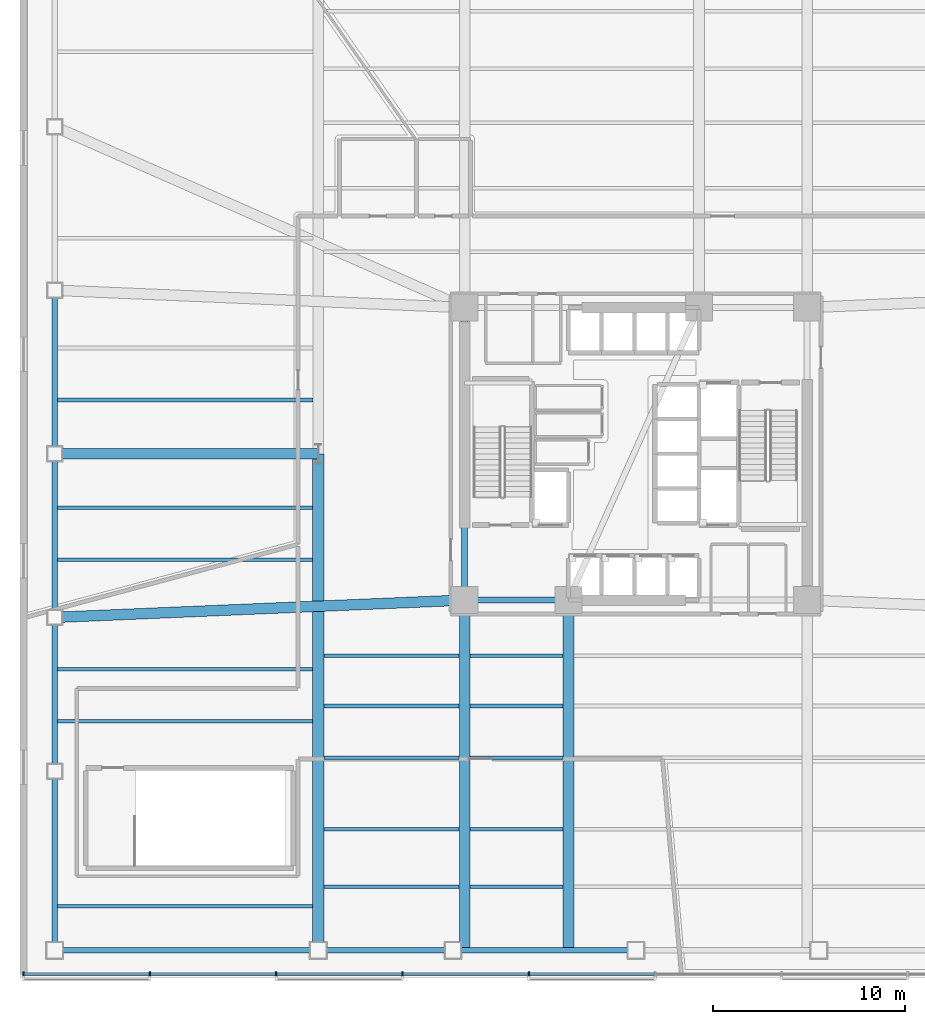
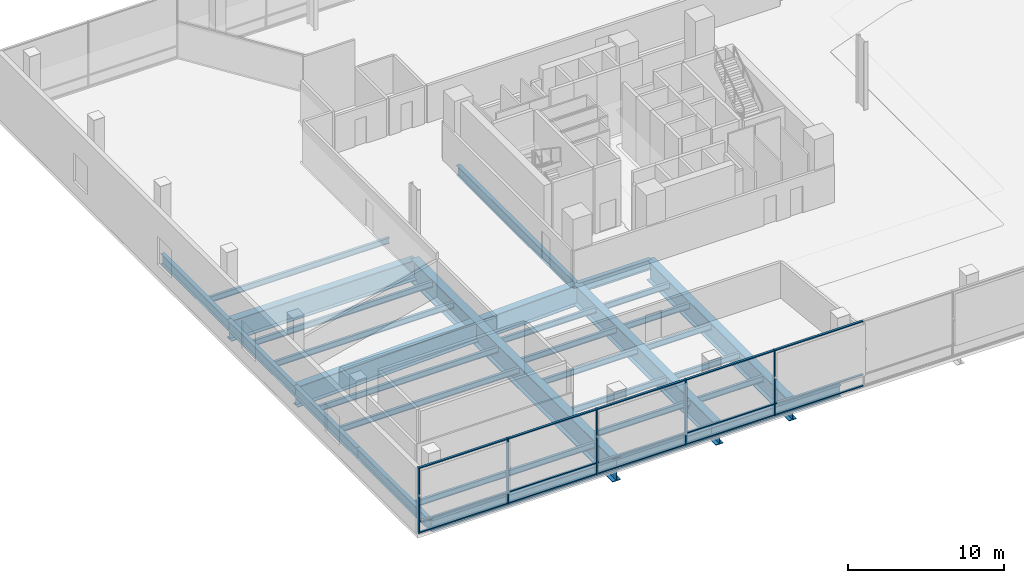
# One storey, part 2 of 19: 30 beams, 20 members, 1 element without a shape of its own.
"""IFC4 building model written with IfcOpenShell, lengths in metres."""

from ifc_helpers import new_model, si_unit, direction, frame, origin, origin_2d, place, context, subcontext, project, spatial, rectangle, i_section, extrude, material, layer, layer_set, material_profile, profile_set, type_object, element, aggregate, save


model = new_model("IFC4")

# Units and contexts
model_context = context("Model", 3, precision=1e-05, world=origin(), true_north=direction((0.0, 1.0)))
body_context = subcontext(model_context, "Body", "Model", "MODEL_VIEW")
ifc_project = project(units=[si_unit("LENGTHUNIT", "METRE"), si_unit("AREAUNIT", "SQUARE_METRE"), si_unit("VOLUMEUNIT", "CUBIC_METRE"), si_unit("PLANEANGLEUNIT", "RADIAN"), si_unit("MASSUNIT", "GRAM", prefix="KILO")], contexts=[model_context])

# Site, building, storey
site_placement = place(None, origin())
site = spatial("IfcSite", under=ifc_project, at=site_placement, CompositionType="ELEMENT")
building_placement = place(site_placement, origin())
building = spatial("IfcBuilding", under=site, at=building_placement, Name="Tharavind Bronze Gate", CompositionType="ELEMENT")
storey_placement = place(building_placement, frame((0.0, 0.0, 26.5)))
storey = spatial("IfcBuildingStorey", under=building, at=storey_placement, Name="L05", CompositionType="ELEMENT", Elevation=26.5)

# Curtain wall, members
ifc_material_1 = material(Name="Anodised Bronze Aluminium", Category="aluminium")
ifc_layer = layer(ifc_material_1, 0.219970703125)
ifc_layer_set = layer_set([ifc_layer], Name="Anodised Bronze Aluminium")
curtain_wall_type = type_object("IfcCurtainWallType", Name="UNITISED CURTAIN WALL PODIUM", PredefinedType="USERDEFINED", material=ifc_layer_set)
curtain_wall_placement = place(storey_placement, origin())
curtain_wall = element("IfcCurtainWall", 1, at=curtain_wall_placement, inside=storey, type_object=curtain_wall_type, Name="L05 unitised curtain wall podium CW-L05-S1", ObjectType="UNITISED CURTAIN WALL", PredefinedType="USERDEFINED")
member_type_1 = type_object("IfcMemberType", Name="CURTAIN WALL MULLION 80X220", PredefinedType="MULLION", material=ifc_material_1)
member_1_placement = place(storey_placement, frame((-31.820068359375, -27.02001953125, 0.0), z_axis=(0.0, 0.0, 1.0), x_axis=(1.0, 0.0, 0.0)))
member_1 = element("IfcMember", 2, at=member_1_placement, type_object=member_type_1, Name="CW-L05-S1 mullion 1", PredefinedType="MULLION", context=body_context, shape_type="SweptSolid", body=[
    extrude(rectangle(XDim=0.080078125, YDim=0.219970703125, at=origin_2d()), origin(), (0.0, 0.0, 1.0), 5.10498046875),
])
member_2_placement = place(storey_placement, frame((-25.256103515625, -27.02001953125, 0.0), z_axis=(0.0, 0.0, 1.0), x_axis=(1.0, 0.0, 0.0)))
member_2 = element("IfcMember", 3, at=member_2_placement, type_object=member_type_1, Name="CW-L05-S1 mullion 2", PredefinedType="MULLION", context=body_context, shape_type="SweptSolid", body=[
    extrude(rectangle(XDim=0.080078125, YDim=0.219970703125, at=origin_2d()), origin(), (0.0, 0.0, 1.0), 5.10498046875),
])
member_3_placement = place(storey_placement, frame((-18.69189453125, -27.02001953125, 0.0), z_axis=(0.0, 0.0, 1.0), x_axis=(1.0, 0.0, 0.0)))
member_3 = element("IfcMember", 4, at=member_3_placement, type_object=member_type_1, Name="CW-L05-S1 mullion 3", PredefinedType="MULLION", context=body_context, shape_type="SweptSolid", body=[
    extrude(rectangle(XDim=0.080078125, YDim=0.219970703125, at=origin_2d()), origin(), (0.0, 0.0, 1.0), 5.10498046875),
])
member_4_placement = place(storey_placement, frame((-12.1279296875, -27.02001953125, 0.0), z_axis=(0.0, 0.0, 1.0), x_axis=(1.0, 0.0, 0.0)))
member_4 = element("IfcMember", 5, at=member_4_placement, type_object=member_type_1, Name="CW-L05-S1 mullion 4", PredefinedType="MULLION", context=body_context, shape_type="SweptSolid", body=[
    extrude(rectangle(XDim=0.080078125, YDim=0.219970703125, at=origin_2d()), origin(), (0.0, 0.0, 1.0), 5.10498046875),
])
member_5_placement = place(storey_placement, frame((-5.56396484375, -27.02001953125, 0.0), z_axis=(0.0, 0.0, 1.0), x_axis=(1.0, 0.0, 0.0)))
member_5 = element("IfcMember", 6, at=member_5_placement, type_object=member_type_1, Name="CW-L05-S1 mullion 5", PredefinedType="MULLION", context=body_context, shape_type="SweptSolid", body=[
    extrude(rectangle(XDim=0.080078125, YDim=0.219970703125, at=origin_2d()), origin(), (0.0, 0.0, 1.0), 5.10498046875),
])
member_type_2 = type_object("IfcMemberType", Name="CURTAIN WALL TRANSOM 80X160", PredefinedType="USERDEFINED", material=ifc_material_1)
member_6_placement = place(storey_placement, frame((-28.5380859375, -27.02001953125, 0.0), z_axis=(0.0, 0.0, 1.0), x_axis=(1.0, 0.0, 0.0)))
member_6 = element("IfcMember", 7, at=member_6_placement, type_object=member_type_2, Name="CW-L05-S1 transom TB1", ObjectType="TRANSOM", PredefinedType="USERDEFINED", context=body_context, shape_type="SweptSolid", body=[
    extrude(rectangle(XDim=6.49609375, YDim=0.159912109375, at=origin_2d()), origin(), (0.0, 0.0, 1.0), 0.080078125),
])
member_7_placement = place(storey_placement, frame((-28.5380859375, -27.02001953125, 0.85986328125), z_axis=(0.0, 0.0, 1.0), x_axis=(1.0, 0.0, 0.0)))
member_7 = element("IfcMember", 8, at=member_7_placement, type_object=member_type_2, Name="CW-L05-S1 transom TS1", ObjectType="TRANSOM", PredefinedType="USERDEFINED", context=body_context, shape_type="SweptSolid", body=[
    extrude(rectangle(XDim=6.49609375, YDim=0.159912109375, at=origin_2d()), origin(), (0.0, 0.0, 1.0), 0.080078125),
])
member_8_placement = place(storey_placement, frame((-28.5380859375, -27.02001953125, 5.02490234375), z_axis=(0.0, 0.0, 1.0), x_axis=(1.0, 0.0, 0.0)))
member_8 = element("IfcMember", 9, at=member_8_placement, type_object=member_type_2, Name="CW-L05-S1 transom TT1", ObjectType="TRANSOM", PredefinedType="USERDEFINED", context=body_context, shape_type="SweptSolid", body=[
    extrude(rectangle(XDim=6.49609375, YDim=0.159912109375, at=origin_2d()), origin(), (0.0, 0.0, 1.0), 0.080078125),
])
member_9_placement = place(storey_placement, frame((-21.97412109375, -27.02001953125, 0.0), z_axis=(0.0, 0.0, 1.0), x_axis=(1.0, 0.0, 0.0)))
member_9 = element("IfcMember", 10, at=member_9_placement, type_object=member_type_2, Name="CW-L05-S1 transom TB2", ObjectType="TRANSOM", PredefinedType="USERDEFINED", context=body_context, shape_type="SweptSolid", body=[
    extrude(rectangle(XDim=6.49609375, YDim=0.159912109375, at=origin_2d()), origin(), (0.0, 0.0, 1.0), 0.080078125),
])
member_10_placement = place(storey_placement, frame((-21.97412109375, -27.02001953125, 0.85986328125), z_axis=(0.0, 0.0, 1.0), x_axis=(1.0, 0.0, 0.0)))
member_10 = element("IfcMember", 11, at=member_10_placement, type_object=member_type_2, Name="CW-L05-S1 transom TS2", ObjectType="TRANSOM", PredefinedType="USERDEFINED", context=body_context, shape_type="SweptSolid", body=[
    extrude(rectangle(XDim=6.49609375, YDim=0.159912109375, at=origin_2d()), origin(), (0.0, 0.0, 1.0), 0.080078125),
])
member_11_placement = place(storey_placement, frame((-21.97412109375, -27.02001953125, 5.02490234375), z_axis=(0.0, 0.0, 1.0), x_axis=(1.0, 0.0, 0.0)))
member_11 = element("IfcMember", 12, at=member_11_placement, type_object=member_type_2, Name="CW-L05-S1 transom TT2", ObjectType="TRANSOM", PredefinedType="USERDEFINED", context=body_context, shape_type="SweptSolid", body=[
    extrude(rectangle(XDim=6.49609375, YDim=0.159912109375, at=origin_2d()), origin(), (0.0, 0.0, 1.0), 0.080078125),
])
member_12_placement = place(storey_placement, frame((-15.409912109375, -27.02001953125, 0.0), z_axis=(0.0, 0.0, 1.0), x_axis=(1.0, 0.0, 0.0)))
member_12 = element("IfcMember", 13, at=member_12_placement, type_object=member_type_2, Name="CW-L05-S1 transom TB3", ObjectType="TRANSOM", PredefinedType="USERDEFINED", context=body_context, shape_type="SweptSolid", body=[
    extrude(rectangle(XDim=6.49609375, YDim=0.159912109375, at=origin_2d()), origin(), (0.0, 0.0, 1.0), 0.080078125),
])
member_13_placement = place(storey_placement, frame((-15.409912109375, -27.02001953125, 0.85986328125), z_axis=(0.0, 0.0, 1.0), x_axis=(1.0, 0.0, 0.0)))
member_13 = element("IfcMember", 14, at=member_13_placement, type_object=member_type_2, Name="CW-L05-S1 transom TS3", ObjectType="TRANSOM", PredefinedType="USERDEFINED", context=body_context, shape_type="SweptSolid", body=[
    extrude(rectangle(XDim=6.49609375, YDim=0.159912109375, at=origin_2d()), origin(), (0.0, 0.0, 1.0), 0.080078125),
])
member_14_placement = place(storey_placement, frame((-15.409912109375, -27.02001953125, 5.02490234375), z_axis=(0.0, 0.0, 1.0), x_axis=(1.0, 0.0, 0.0)))
member_14 = element("IfcMember", 15, at=member_14_placement, type_object=member_type_2, Name="CW-L05-S1 transom TT3", ObjectType="TRANSOM", PredefinedType="USERDEFINED", context=body_context, shape_type="SweptSolid", body=[
    extrude(rectangle(XDim=6.49609375, YDim=0.159912109375, at=origin_2d()), origin(), (0.0, 0.0, 1.0), 0.080078125),
])
member_15_placement = place(storey_placement, frame((-8.845947265625, -27.02001953125, 0.0), z_axis=(0.0, 0.0, 1.0), x_axis=(1.0, 0.0, 0.0)))
member_15 = element("IfcMember", 16, at=member_15_placement, type_object=member_type_2, Name="CW-L05-S1 transom TB4", ObjectType="TRANSOM", PredefinedType="USERDEFINED", context=body_context, shape_type="SweptSolid", body=[
    extrude(rectangle(XDim=6.49609375, YDim=0.159912109375, at=origin_2d()), origin(), (0.0, 0.0, 1.0), 0.080078125),
])
member_16_placement = place(storey_placement, frame((-8.845947265625, -27.02001953125, 0.85986328125), z_axis=(0.0, 0.0, 1.0), x_axis=(1.0, 0.0, 0.0)))
member_16 = element("IfcMember", 17, at=member_16_placement, type_object=member_type_2, Name="CW-L05-S1 transom TS4", ObjectType="TRANSOM", PredefinedType="USERDEFINED", context=body_context, shape_type="SweptSolid", body=[
    extrude(rectangle(XDim=6.49609375, YDim=0.159912109375, at=origin_2d()), origin(), (0.0, 0.0, 1.0), 0.080078125),
])
member_17_placement = place(storey_placement, frame((-8.845947265625, -27.02001953125, 5.02490234375), z_axis=(0.0, 0.0, 1.0), x_axis=(1.0, 0.0, 0.0)))
member_17 = element("IfcMember", 18, at=member_17_placement, type_object=member_type_2, Name="CW-L05-S1 transom TT4", ObjectType="TRANSOM", PredefinedType="USERDEFINED", context=body_context, shape_type="SweptSolid", body=[
    extrude(rectangle(XDim=6.49609375, YDim=0.159912109375, at=origin_2d()), origin(), (0.0, 0.0, 1.0), 0.080078125),
])
member_18_placement = place(storey_placement, frame((-2.281982421875, -27.02001953125, 0.0), z_axis=(0.0, 0.0, 1.0), x_axis=(1.0, 0.0, 0.0)))
member_18 = element("IfcMember", 19, at=member_18_placement, type_object=member_type_2, Name="CW-L05-S1 transom TB5", ObjectType="TRANSOM", PredefinedType="USERDEFINED", context=body_context, shape_type="SweptSolid", body=[
    extrude(rectangle(XDim=6.49609375, YDim=0.159912109375, at=origin_2d()), origin(), (0.0, 0.0, 1.0), 0.080078125),
])
member_19_placement = place(storey_placement, frame((-2.281982421875, -27.02001953125, 0.85986328125), z_axis=(0.0, 0.0, 1.0), x_axis=(1.0, 0.0, 0.0)))
member_19 = element("IfcMember", 20, at=member_19_placement, type_object=member_type_2, Name="CW-L05-S1 transom TS5", ObjectType="TRANSOM", PredefinedType="USERDEFINED", context=body_context, shape_type="SweptSolid", body=[
    extrude(rectangle(XDim=6.49609375, YDim=0.159912109375, at=origin_2d()), origin(), (0.0, 0.0, 1.0), 0.080078125),
])
member_20_placement = place(storey_placement, frame((-2.281982421875, -27.02001953125, 5.02490234375), z_axis=(0.0, 0.0, 1.0), x_axis=(1.0, 0.0, 0.0)))
member_20 = element("IfcMember", 21, at=member_20_placement, type_object=member_type_2, Name="CW-L05-S1 transom TT5", ObjectType="TRANSOM", PredefinedType="USERDEFINED", context=body_context, shape_type="SweptSolid", body=[
    extrude(rectangle(XDim=6.49609375, YDim=0.159912109375, at=origin_2d()), origin(), (0.0, 0.0, 1.0), 0.080078125),
])
aggregate(curtain_wall, [member_1, member_2, member_3, member_4, member_5, member_6, member_7, member_8, member_9, member_10, member_11, member_12, member_13, member_14, member_15, member_16, member_17, member_18, member_19, member_20])

# Beams
ifc_material_2 = material(Name="Steel S355", Category="steel")
ifc_material_profile_1 = material_profile(ifc_material_2, i_section(OverallWidth=0.300048828125, OverallDepth=0.800048828125, WebThickness=0.017578125, FlangeThickness=0.032958984375, at=origin_2d()), Name="HE800B")
ifc_profile_set_1 = profile_set([ifc_material_profile_1], Name="Steel S355")
beam_type_1 = type_object("IfcBeamType", Name="RING GIRDER HE800B", PredefinedType="USERDEFINED", material=ifc_profile_set_1)
beam_1_placement = place(storey_placement, frame((-8.89990234375, -7.60009765625, -0.659912109375), z_axis=(1.0, 0.0, 0.0), x_axis=(0.0, 1.0, 0.0)))
element("IfcBeam", 22, at=beam_1_placement, inside=storey, type_object=beam_type_1, Name="L05 ring girder he800b BM-L05-CR1", ObjectType="GIRDER", PredefinedType="USERDEFINED", context=body_context, shape_type="SweptSolid", body=[
    extrude(i_section(OverallWidth=0.300048828125, OverallDepth=0.800048828125, WebThickness=0.017578125, FlangeThickness=0.032958984375, at=origin_2d()), origin(), (0.0, 0.0, 1.0), 5.39990234375),
])
beam_2_placement = place(storey_placement, frame((-8.89990234375, 7.60009765625, -0.659912109375), z_axis=(0.0, -1.0, 0.0), x_axis=(1.0, 0.0, 0.0)))
element("IfcBeam", 23, at=beam_2_placement, inside=storey, type_object=beam_type_1, Name="L05 ring girder he800b BM-L05-CR6", ObjectType="GIRDER", PredefinedType="USERDEFINED", context=body_context, shape_type="SweptSolid", body=[
    extrude(i_section(OverallWidth=0.300048828125, OverallDepth=0.800048828125, WebThickness=0.017578125, FlangeThickness=0.032958984375, at=origin_2d()), origin(), (0.0, 0.0, 1.0), 15.2001953125),
])
beam_3_placement = place(storey_placement, frame((-30.199951171875, -25.800048828125, -0.659912109375), z_axis=(0.0, 1.0, 0.0), x_axis=(-1.0, 0.0, 0.0)))
element("IfcBeam", 24, at=beam_3_placement, inside=storey, type_object=beam_type_1, Name="L05 ring girder he800b BM-L05-PW1", ObjectType="GIRDER", PredefinedType="USERDEFINED", context=body_context, shape_type="SweptSolid", body=[
    extrude(i_section(OverallWidth=0.300048828125, OverallDepth=0.800048828125, WebThickness=0.017578125, FlangeThickness=0.032958984375, at=origin_2d()), origin(), (0.0, 0.0, 1.0), 9.300048828125),
])
beam_4_placement = place(storey_placement, frame((-30.199951171875, -16.5, -0.659912109375), z_axis=(0.0, 1.0, 0.0), x_axis=(-1.0, 0.0, 0.0)))
element("IfcBeam", 25, at=beam_4_placement, inside=storey, type_object=beam_type_1, Name="L05 ring girder he800b BM-L05-PW2", ObjectType="GIRDER", PredefinedType="USERDEFINED", context=body_context, shape_type="SweptSolid", body=[
    extrude(i_section(OverallWidth=0.300048828125, OverallDepth=0.800048828125, WebThickness=0.017578125, FlangeThickness=0.032958984375, at=origin_2d()), origin(), (0.0, 0.0, 1.0), 8.0),
])
for number, where, z_axis, x_axis, name in (
    (26, (-30.199951171875, -8.5, -0.659912109375), (0.0, 1.0, 0.0), (-1.0, 0.0, 0.0), "L05 ring girder he800b BM-L05-PW3"),
    (27, (-30.199951171875, 0.0, -0.659912109375), (0.0, 1.0, 0.0), (-1.0, 0.0, 0.0), "L05 ring girder he800b BM-L05-PW4"),
):
    element("IfcBeam", number, at=place(storey_placement, frame(where, z_axis=z_axis, x_axis=x_axis)), inside=storey, type_object=beam_type_1, Name=name, ObjectType="GIRDER", PredefinedType="USERDEFINED", context=body_context, shape_type="SweptSolid", body=[
        extrude(i_section(OverallWidth=0.300048828125, OverallDepth=0.800048828125, WebThickness=0.017578125, FlangeThickness=0.032958984375, at=origin_2d()), origin(), (0.0, 0.0, 1.0), 8.5),
    ])
ifc_material_profile_2 = material_profile(ifc_material_2, i_section(OverallWidth=0.18994140625, OverallDepth=0.449951171875, WebThickness=0.009521484375, FlangeThickness=0.0146484375, at=origin_2d()), Name="IPE450")
ifc_profile_set_2 = profile_set([ifc_material_profile_2], Name="Steel S355")
beam_type_2 = type_object("IfcBeamType", Name="SECONDARY FLOOR JOIST IPE450", PredefinedType="JOIST", material=ifc_profile_set_2)
beam_5_placement = place(storey_placement, frame((-8.623046875, -22.5, -0.485107421875), z_axis=(1.0, 0.0, 0.0), x_axis=(0.0, 1.0, 0.0)))
element("IfcBeam", 28, at=beam_5_placement, inside=storey, type_object=beam_type_2, Name="L05 secondary floor joist ipe450 BM-L05-JSS1A", PredefinedType="JOIST", context=body_context, shape_type="SweptSolid", body=[
    extrude(i_section(OverallWidth=0.18994140625, OverallDepth=0.449951171875, WebThickness=0.009521484375, FlangeThickness=0.0146484375, at=origin_2d()), origin(), (0.0, 0.0, 1.0), 4.845947265625),
])
beam_6_placement = place(storey_placement, frame((-16.197998046875, -22.5, -0.485107421875), z_axis=(1.0, 0.0, 0.0), x_axis=(0.0, 1.0, 0.0)))
element("IfcBeam", 29, at=beam_6_placement, inside=storey, type_object=beam_type_2, Name="L05 secondary floor joist ipe450 BM-L05-JSS1W", PredefinedType="JOIST", context=body_context, shape_type="SweptSolid", body=[
    extrude(i_section(OverallWidth=0.18994140625, OverallDepth=0.449951171875, WebThickness=0.009521484375, FlangeThickness=0.0146484375, at=origin_2d()), origin(), (0.0, 0.0, 1.0), 7.02099609375),
])
beam_7_placement = place(storey_placement, frame((-8.623046875, -19.5, -0.485107421875), z_axis=(1.0, 0.0, 0.0), x_axis=(0.0, 1.0, 0.0)))
element("IfcBeam", 30, at=beam_7_placement, inside=storey, type_object=beam_type_2, Name="L05 secondary floor joist ipe450 BM-L05-JSS2A", PredefinedType="JOIST", context=body_context, shape_type="SweptSolid", body=[
    extrude(i_section(OverallWidth=0.18994140625, OverallDepth=0.449951171875, WebThickness=0.009521484375, FlangeThickness=0.0146484375, at=origin_2d()), origin(), (0.0, 0.0, 1.0), 4.845947265625),
])
beam_8_placement = place(storey_placement, frame((-16.197998046875, -19.5, -0.485107421875), z_axis=(1.0, 0.0, 0.0), x_axis=(0.0, 1.0, 0.0)))
element("IfcBeam", 31, at=beam_8_placement, inside=storey, type_object=beam_type_2, Name="L05 secondary floor joist ipe450 BM-L05-JSS2W", PredefinedType="JOIST", context=body_context, shape_type="SweptSolid", body=[
    extrude(i_section(OverallWidth=0.18994140625, OverallDepth=0.449951171875, WebThickness=0.009521484375, FlangeThickness=0.0146484375, at=origin_2d()), origin(), (0.0, 0.0, 1.0), 7.02099609375),
])
beam_9_placement = place(storey_placement, frame((-8.623046875, -15.800048828125, -0.485107421875), z_axis=(1.0, 0.0, 0.0), x_axis=(0.0, 1.0, 0.0)))
element("IfcBeam", 32, at=beam_9_placement, inside=storey, type_object=beam_type_2, Name="L05 secondary floor joist ipe450 BM-L05-JSS3A", PredefinedType="JOIST", context=body_context, shape_type="SweptSolid", body=[
    extrude(i_section(OverallWidth=0.18994140625, OverallDepth=0.449951171875, WebThickness=0.009521484375, FlangeThickness=0.0146484375, at=origin_2d()), origin(), (0.0, 0.0, 1.0), 4.845947265625),
])
beam_10_placement = place(storey_placement, frame((-16.197998046875, -15.800048828125, -0.485107421875), z_axis=(1.0, 0.0, 0.0), x_axis=(0.0, 1.0, 0.0)))
element("IfcBeam", 33, at=beam_10_placement, inside=storey, type_object=beam_type_2, Name="L05 secondary floor joist ipe450 BM-L05-JSS3W", PredefinedType="JOIST", context=body_context, shape_type="SweptSolid", body=[
    extrude(i_section(OverallWidth=0.18994140625, OverallDepth=0.449951171875, WebThickness=0.009521484375, FlangeThickness=0.0146484375, at=origin_2d()), origin(), (0.0, 0.0, 1.0), 7.02099609375),
])
beam_11_placement = place(storey_placement, frame((-8.623046875, -13.10009765625, -0.485107421875), z_axis=(1.0, 0.0, 0.0), x_axis=(0.0, 1.0, 0.0)))
element("IfcBeam", 34, at=beam_11_placement, inside=storey, type_object=beam_type_2, Name="L05 secondary floor joist ipe450 BM-L05-JSS4A", PredefinedType="JOIST", context=body_context, shape_type="SweptSolid", body=[
    extrude(i_section(OverallWidth=0.18994140625, OverallDepth=0.449951171875, WebThickness=0.009521484375, FlangeThickness=0.0146484375, at=origin_2d()), origin(), (0.0, 0.0, 1.0), 4.845947265625),
])
beam_12_placement = place(storey_placement, frame((-16.197998046875, -13.10009765625, -0.485107421875), z_axis=(1.0, 0.0, 0.0), x_axis=(0.0, 1.0, 0.0)))
element("IfcBeam", 35, at=beam_12_placement, inside=storey, type_object=beam_type_2, Name="L05 secondary floor joist ipe450 BM-L05-JSS4W", PredefinedType="JOIST", context=body_context, shape_type="SweptSolid", body=[
    extrude(i_section(OverallWidth=0.18994140625, OverallDepth=0.449951171875, WebThickness=0.009521484375, FlangeThickness=0.0146484375, at=origin_2d()), origin(), (0.0, 0.0, 1.0), 7.02099609375),
])
beam_13_placement = place(storey_placement, frame((-8.623046875, -10.5, -0.485107421875), z_axis=(1.0, 0.0, 0.0), x_axis=(0.0, 1.0, 0.0)))
element("IfcBeam", 36, at=beam_13_placement, inside=storey, type_object=beam_type_2, Name="L05 secondary floor joist ipe450 BM-L05-JSS5A", PredefinedType="JOIST", context=body_context, shape_type="SweptSolid", body=[
    extrude(i_section(OverallWidth=0.18994140625, OverallDepth=0.449951171875, WebThickness=0.009521484375, FlangeThickness=0.0146484375, at=origin_2d()), origin(), (0.0, 0.0, 1.0), 4.845947265625),
])
beam_14_placement = place(storey_placement, frame((-16.197998046875, -10.5, -0.485107421875), z_axis=(1.0, 0.0, 0.0), x_axis=(0.0, 1.0, 0.0)))
element("IfcBeam", 37, at=beam_14_placement, inside=storey, type_object=beam_type_2, Name="L05 secondary floor joist ipe450 BM-L05-JSS5W", PredefinedType="JOIST", context=body_context, shape_type="SweptSolid", body=[
    extrude(i_section(OverallWidth=0.18994140625, OverallDepth=0.449951171875, WebThickness=0.009521484375, FlangeThickness=0.0146484375, at=origin_2d()), origin(), (0.0, 0.0, 1.0), 7.02099609375),
])
for number, where, z_axis, x_axis, name in (
    (38, (-30.0400390625, -23.5, -0.485107421875), (1.0, 0.0, 0.0), (0.0, 1.0, 0.0), "L05 secondary floor joist ipe450 BM-L05-JSWW1"),
    (39, (-30.0400390625, -13.89990234375, -0.485107421875), (1.0, 0.0, 0.0), (0.0, 1.0, 0.0), "L05 secondary floor joist ipe450 BM-L05-JSWW2"),
    (40, (-30.0400390625, -11.199951171875, -0.485107421875), (1.0, 0.0, 0.0), (0.0, 1.0, 0.0), "L05 secondary floor joist ipe450 BM-L05-JSWW3"),
    (41, (-30.0400390625, -5.5, -0.485107421875), (1.0, 0.0, 0.0), (0.0, 1.0, 0.0), "L05 secondary floor joist ipe450 BM-L05-JSWW4"),
    (42, (-30.0400390625, -2.800048828125, -0.485107421875), (1.0, 0.0, 0.0), (0.0, 1.0, 0.0), "L05 secondary floor joist ipe450 BM-L05-JSWW5"),
):
    element("IfcBeam", number, at=place(storey_placement, frame(where, z_axis=z_axis, x_axis=x_axis)), inside=storey, type_object=beam_type_2, Name=name, PredefinedType="JOIST", context=body_context, shape_type="SweptSolid", body=[
        extrude(i_section(OverallWidth=0.18994140625, OverallDepth=0.449951171875, WebThickness=0.009521484375, FlangeThickness=0.0146484375, at=origin_2d()), origin(), (0.0, 0.0, 1.0), 13.238037109375),
    ])
beam_15_placement = place(storey_placement, frame((-30.0400390625, 2.800048828125, -0.485107421875), z_axis=(1.0, 0.0, 0.0), x_axis=(0.0, 1.0, 0.0)))
element("IfcBeam", 43, at=beam_15_placement, inside=storey, type_object=beam_type_2, Name="L05 secondary floor joist ipe450 BM-L05-JSWW6", PredefinedType="JOIST", context=body_context, shape_type="SweptSolid", body=[
    extrude(i_section(OverallWidth=0.18994140625, OverallDepth=0.449951171875, WebThickness=0.009521484375, FlangeThickness=0.0146484375, at=origin_2d()), origin(), (0.0, 0.0, 1.0), 13.262939453125),
])
ifc_material_profile_3 = material_profile(ifc_material_2, i_section(OverallWidth=0.300048828125, OverallDepth=0.89990234375, WebThickness=0.0185546875, FlangeThickness=0.034912109375, at=origin_2d()), Name="HE900B")
ifc_profile_set_3 = profile_set([ifc_material_profile_3], Name="Steel S355")
beam_type_3 = type_object("IfcBeamType", Name="SPANDREL RING BEAM HE900B", PredefinedType="SPANDREL", material=ifc_profile_set_3)
beam_16_placement = place(storey_placement, frame((-30.199951171875, -25.800048828125, -0.7099609375), z_axis=(1.0, 0.0, 0.0), x_axis=(0.0, 1.0, 0.0)))
element("IfcBeam", 44, at=beam_16_placement, inside=storey, type_object=beam_type_3, Name="L05 spandrel ring beam he900b BM-L05-PS1", PredefinedType="SPANDREL", context=body_context, shape_type="SweptSolid", body=[
    extrude(i_section(OverallWidth=0.300048828125, OverallDepth=0.89990234375, WebThickness=0.0185546875, FlangeThickness=0.034912109375, at=origin_2d()), origin(), (0.0, 0.0, 1.0), 13.699951171875),
])
beam_17_placement = place(storey_placement, frame((-16.5, -25.800048828125, -0.7099609375), z_axis=(1.0, 0.0, 0.0), x_axis=(0.0, 1.0, 0.0)))
element("IfcBeam", 45, at=beam_17_placement, inside=storey, type_object=beam_type_3, Name="L05 spandrel ring beam he900b BM-L05-PS2", PredefinedType="SPANDREL", context=body_context, shape_type="SweptSolid", body=[
    extrude(i_section(OverallWidth=0.300048828125, OverallDepth=0.89990234375, WebThickness=0.0185546875, FlangeThickness=0.034912109375, at=origin_2d()), origin(), (0.0, 0.0, 1.0), 7.0),
])
beam_18_placement = place(storey_placement, frame((-9.5, -25.800048828125, -0.7099609375), z_axis=(1.0, 0.0, 0.0), x_axis=(0.0, 1.0, 0.0)))
element("IfcBeam", 46, at=beam_18_placement, inside=storey, type_object=beam_type_3, Name="L05 spandrel ring beam he900b BM-L05-PS3", PredefinedType="SPANDREL", context=body_context, shape_type="SweptSolid", body=[
    extrude(i_section(OverallWidth=0.300048828125, OverallDepth=0.89990234375, WebThickness=0.0185546875, FlangeThickness=0.034912109375, at=origin_2d()), origin(), (0.0, 0.0, 1.0), 9.5),
])
ifc_material_3 = material(Name="Steel S460", Category="steel")
ifc_material_profile_4 = material_profile(ifc_material_3, i_section(OverallWidth=0.550048828125, OverallDepth=1.60009765625, WebThickness=0.030029296875, FlangeThickness=0.050048828125, at=origin_2d()), Name="PG1600X550")
ifc_profile_set_4 = profile_set([ifc_material_profile_4], Name="Steel S460")
beam_type_4 = type_object("IfcBeamType", Name="TRANSFER GIRDER 1600X550", PredefinedType="USERDEFINED", material=ifc_profile_set_4)
for number, where, z_axis, x_axis, name in (
    (47, (-8.89990234375, -25.800048828125, -1.06005859375), (0.0, 1.0, 0.0), (-1.0, 0.0, 0.0), "L05 transfer girder 1600x550 BM-L05-GS2"),
    (48, (-3.5, -25.800048828125, -1.06005859375), (0.0, 1.0, 0.0), (-1.0, 0.0, 0.0), "L05 transfer girder 1600x550 BM-L05-GS3"),
):
    element("IfcBeam", number, at=place(storey_placement, frame(where, z_axis=z_axis, x_axis=x_axis)), inside=storey, type_object=beam_type_4, Name=name, ObjectType="TRANSFER GIRDER", PredefinedType="USERDEFINED", context=body_context, shape_type="SweptSolid", body=[
        extrude(i_section(OverallWidth=0.550048828125, OverallDepth=1.60009765625, WebThickness=0.030029296875, FlangeThickness=0.050048828125, at=origin_2d()), origin(), (0.0, 0.0, 1.0), 18.199951171875),
    ])
beam_19_placement = place(storey_placement, frame((-30.199951171875, -8.5, -1.06005859375), z_axis=(0.999108710794, 0.04221118354, 0.0), x_axis=(-0.04221118354, 0.999108710794, 0.0)))
element("IfcBeam", 49, at=beam_19_placement, inside=storey, type_object=beam_type_4, Name="L05 transfer girder 1600x550 BM-L05-GW1", ObjectType="TRANSFER GIRDER", PredefinedType="USERDEFINED", context=body_context, shape_type="SweptSolid", body=[
    extrude(i_section(OverallWidth=0.550048828125, OverallDepth=1.60009765625, WebThickness=0.030029296875, FlangeThickness=0.050048828125, at=origin_2d()), origin(), (0.0, 0.0, 1.0), 21.319091796875),
])
beam_20_placement = place(storey_placement, frame((-30.199951171875, 0.0, -1.06005859375), z_axis=(1.0, 0.0, 0.0), x_axis=(0.0, 1.0, 0.0)))
element("IfcBeam", 50, at=beam_20_placement, inside=storey, type_object=beam_type_4, Name="L05 transfer girder 1600x550 BM-L05-GW3", ObjectType="TRANSFER GIRDER", PredefinedType="USERDEFINED", context=body_context, shape_type="SweptSolid", body=[
    extrude(i_section(OverallWidth=0.550048828125, OverallDepth=1.60009765625, WebThickness=0.030029296875, FlangeThickness=0.050048828125, at=origin_2d()), origin(), (0.0, 0.0, 1.0), 13.699951171875),
])
ifc_material_profile_5 = material_profile(ifc_material_3, i_section(OverallWidth=0.60009765625, OverallDepth=1.800048828125, WebThickness=0.031982421875, FlangeThickness=0.054931640625, at=origin_2d()), Name="PG1800X600")
ifc_profile_set_5 = profile_set([ifc_material_profile_5], Name="Steel S460")
beam_type_5 = type_object("IfcBeamType", Name="TRANSFER GIRDER 1800X600", PredefinedType="USERDEFINED", material=ifc_profile_set_5)
beam_21_placement = place(storey_placement, frame((-16.5, -25.800048828125, -1.159912109375), z_axis=(0.0, 1.0, 0.0), x_axis=(-1.0, 0.0, 0.0)))
element("IfcBeam", 51, at=beam_21_placement, inside=storey, type_object=beam_type_5, Name="L05 transfer girder 1800x600 BM-L05-GS1S", ObjectType="TRANSFER GIRDER", PredefinedType="USERDEFINED", context=body_context, shape_type="SweptSolid", body=[
    extrude(i_section(OverallWidth=0.60009765625, OverallDepth=1.800048828125, WebThickness=0.031982421875, FlangeThickness=0.054931640625, at=origin_2d()), origin(), (0.0, 0.0, 1.0), 25.800048828125),
])

save(model, "model.ifc")
